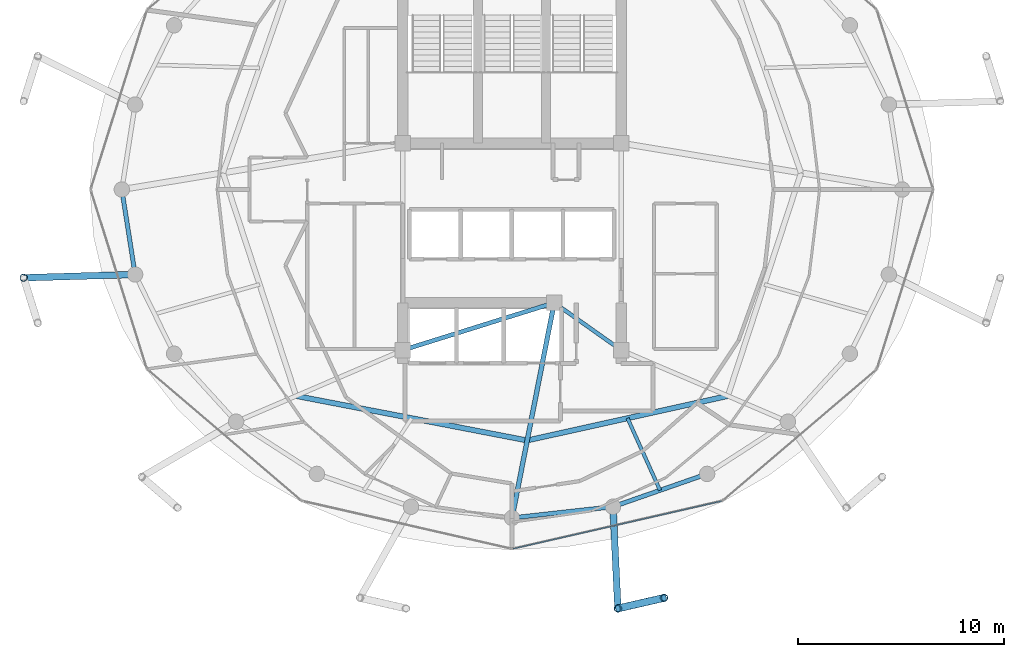
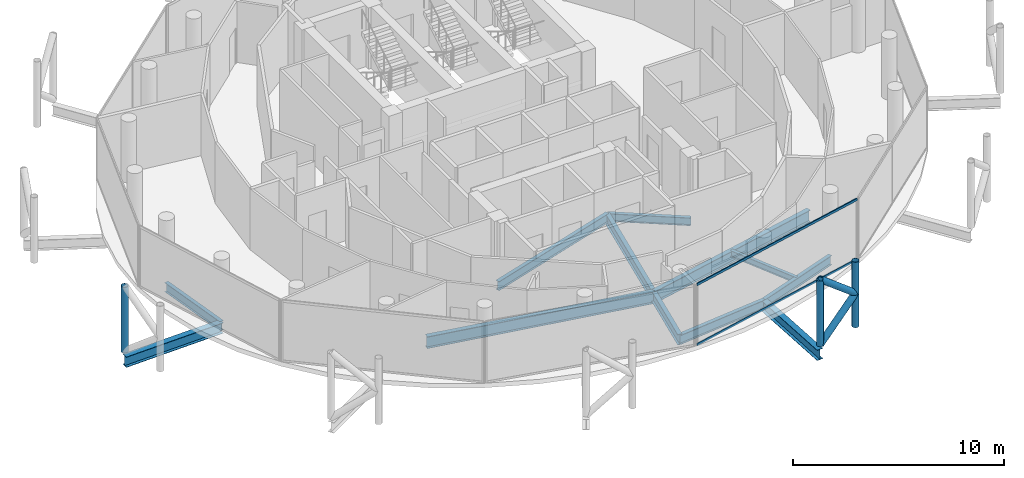
# One storey, part 5 of 24: 11 beams, 7 members, 1 element without a shape of its own.
"""IFC4 building model written with IfcOpenShell, lengths in metres."""

from ifc_helpers import new_model, si_unit, direction, frame, origin, origin_2d, place, context, subcontext, project, spatial, hollow_rectangle, hollow_circle, i_section, extrude, material, layer, layer_set, material_profile, profile_set, type_object, element, aggregate, save


model = new_model("IFC4")

# Units and contexts
model_context = context("Model", 3, precision=1e-05, world=origin(), true_north=direction((0.0, 1.0)))
body_context = subcontext(model_context, "Body", "Model", "MODEL_VIEW")
ifc_project = project(units=[si_unit("LENGTHUNIT", "METRE"), si_unit("AREAUNIT", "SQUARE_METRE"), si_unit("VOLUMEUNIT", "CUBIC_METRE"), si_unit("PLANEANGLEUNIT", "RADIAN"), si_unit("MASSUNIT", "GRAM", prefix="KILO")], contexts=[model_context])

# Site, building, storey
site_placement = place(None, origin())
site = spatial("IfcSite", under=ifc_project, at=site_placement, CompositionType="ELEMENT")
building_placement = place(site_placement, origin())
building = spatial("IfcBuilding", under=site, at=building_placement, Name="Nuhasar Tower", CompositionType="ELEMENT")
storey_placement = place(building_placement, frame((0.0, 0.0, 274.60009765625)))
storey = spatial("IfcBuildingStorey", under=building, at=storey_placement, Name="L68", CompositionType="ELEMENT", Elevation=274.60009765625)

# Beams
ifc_material_1 = material(Name="Steel S355", Category="steel")
ifc_material_profile_1 = material_profile(ifc_material_1, i_section(OverallWidth=0.25390625, OverallDepth=0.68408203125, WebThickness=0.012451171875, FlangeThickness=0.018798828125, at=origin_2d()), Name="W27X94")
ifc_profile_set_1 = profile_set([ifc_material_profile_1], Name="Steel S355")
beam_type_1 = type_object("IfcBeamType", Name="BM-INRING-W27X94", PredefinedType="BEAM", material=ifc_profile_set_1)
beam_1_placement = place(storey_placement, frame((28.51611328125, 16.77392578125, -0.60205078125), z_axis=(0.981944682954, -0.189168283859, 0.0), x_axis=(0.189168283859, 0.981944682954, 0.0)))
element("IfcBeam", 1, at=beam_1_placement, inside=storey, type_object=beam_type_1, Name="L68 Inner Header Beam 01", PredefinedType="BEAM", context=body_context, shape_type="SweptSolid", body=[
    extrude(i_section(OverallWidth=0.25390625, OverallDepth=0.68408203125, WebThickness=0.012451171875, FlangeThickness=0.018798828125, at=origin_2d()), origin(), (0.0, 0.0, 1.0), 11.42822265625),
])
beam_2_placement = place(storey_placement, frame((39.738037109375, 14.612060546875, -0.60205078125), z_axis=(0.97626927806, 0.216560145726, 0.0), x_axis=(-0.216560145726, 0.97626927806, 0.0)))
element("IfcBeam", 2, at=beam_2_placement, inside=storey, type_object=beam_type_1, Name="L68 Inner Header Beam 02", PredefinedType="BEAM", context=body_context, shape_type="SweptSolid", body=[
    extrude(i_section(OverallWidth=0.25390625, OverallDepth=0.68408203125, WebThickness=0.012451171875, FlangeThickness=0.018798828125, at=origin_2d()), origin(), (0.0, 0.0, 1.0), 9.982666015625),
])
ifc_material_profile_2 = material_profile(ifc_material_1, i_section(OverallWidth=0.1708984375, OverallDepth=0.35205078125, WebThickness=0.0068359375, FlangeThickness=0.009765625, at=origin_2d()), Name="W14X30")
ifc_profile_set_2 = profile_set([ifc_material_profile_2], Name="Steel S355")
beam_type_2 = type_object("IfcBeamType", Name="BM-JST-W14X30", PredefinedType="JOIST", material=ifc_profile_set_2)
beam_3_placement = place(storey_placement, frame((44.611083984375, 15.693115234375, -0.43603515625), z_axis=(0.41089033708, -0.911684776057, 0.0), x_axis=(0.911684776057, 0.41089033708, 0.0)))
element("IfcBeam", 3, at=beam_3_placement, inside=storey, type_object=beam_type_2, Name="L68 Secondary Floor Joist 02", PredefinedType="JOIST", context=body_context, shape_type="SweptSolid", body=[
    extrude(i_section(OverallWidth=0.1708984375, OverallDepth=0.35205078125, WebThickness=0.0068359375, FlangeThickness=0.009765625, at=origin_2d()), origin(), (0.0, 0.0, 1.0), 3.842529296875),
])
ifc_material_profile_3 = material_profile(ifc_material_1, i_section(OverallWidth=0.18994140625, OverallDepth=0.45703125, WebThickness=0.009033203125, FlangeThickness=0.014404296875, at=origin_2d()), Name="W18X50")
ifc_profile_set_3 = profile_set([ifc_material_profile_3], Name="Steel S355")
beam_type_3 = type_object("IfcBeamType", Name="BM-RAD-W18X50", PredefinedType="BEAM", material=ifc_profile_set_3)
beam_4_placement = place(storey_placement, frame((41.050048828125, 21.300048828125, -0.489013671875), z_axis=(0.816265428953, -0.577677028708, 0.0), x_axis=(0.577677028708, 0.816265428953, 0.0)))
element("IfcBeam", 4, at=beam_4_placement, inside=storey, type_object=beam_type_3, Name="L68 Core Ring Girder 2", PredefinedType="BEAM", context=body_context, shape_type="SweptSolid", body=[
    extrude(i_section(OverallWidth=0.18994140625, OverallDepth=0.45703125, WebThickness=0.009033203125, FlangeThickness=0.014404296875, at=origin_2d()), origin(), (0.0, 0.0, 1.0), 3.9814453125),
])
ifc_material_profile_4 = material_profile(ifc_material_1, i_section(OverallWidth=0.208984375, OverallDepth=0.528076171875, WebThickness=0.009521484375, FlangeThickness=0.01318359375, at=origin_2d()), Name="W21X55")
ifc_profile_set_4 = profile_set([ifc_material_profile_4], Name="Steel S355")
beam_type_4 = type_object("IfcBeamType", Name="BM-RAD-W21X55", PredefinedType="BEAM", material=ifc_profile_set_4)
beam_5_placement = place(storey_placement, frame((33.699951171875, 19.0, -0.524169921875), z_axis=(0.954363709454, 0.298646798205, 0.0), x_axis=(-0.298646798205, 0.954363709454, 0.0)))
element("IfcBeam", 5, at=beam_5_placement, inside=storey, type_object=beam_type_4, Name="L68 Core Ring Girder 1", PredefinedType="BEAM", context=body_context, shape_type="SweptSolid", body=[
    extrude(i_section(OverallWidth=0.208984375, OverallDepth=0.528076171875, WebThickness=0.009521484375, FlangeThickness=0.01318359375, at=origin_2d()), origin(), (0.0, 0.0, 1.0), 7.70166015625),
])
ifc_material_profile_5 = material_profile(ifc_material_1, i_section(OverallWidth=0.22900390625, OverallDepth=0.612060546875, WebThickness=0.011962890625, FlangeThickness=0.01953125, at=origin_2d()), Name="W24X84")
ifc_profile_set_5 = profile_set([ifc_material_profile_5], Name="Steel S355")
beam_type_5 = type_object("IfcBeamType", Name="BM-RAD-W24X84", PredefinedType="BEAM", material=ifc_profile_set_5)
beam_6_placement = place(storey_placement, frame((41.050048828125, 21.300048828125, -0.566162109375), z_axis=(-0.192508395576, -0.981295326409, 0.0), x_axis=(0.981295326409, -0.192508395576, 0.0)))
element("IfcBeam", 6, at=beam_6_placement, inside=storey, type_object=beam_type_5, Name="L68 Radial Floor Girder 02", PredefinedType="BEAM", context=body_context, shape_type="SweptSolid", body=[
    extrude(i_section(OverallWidth=0.22900390625, OverallDepth=0.612060546875, WebThickness=0.011962890625, FlangeThickness=0.01953125, at=origin_2d()), origin(), (0.0, 0.0, 1.0), 10.649169921875),
])
ifc_material_profile_6 = material_profile(ifc_material_1, i_section(OverallWidth=0.2099609375, OverallDepth=0.537109375, WebThickness=0.010986328125, FlangeThickness=0.017333984375, at=origin_2d()), Name="W21X68")
ifc_profile_set_6 = profile_set([ifc_material_profile_6], Name="Steel S355")
beam_type_6 = type_object("IfcBeamType", Name="BM-RING-W21X68", PredefinedType="SPANDREL", material=ifc_profile_set_6)
beam_7_placement = place(storey_placement, frame((20.050048828125, 26.800048828125, -0.529052734375), z_axis=(0.154612165232, -0.987975241776, 0.0), x_axis=(0.987975241776, 0.154612165232, 0.0)))
element("IfcBeam", 7, at=beam_7_placement, inside=storey, type_object=beam_type_6, Name="L68 Perimeter Ring Spandrel 13", PredefinedType="SPANDREL", context=body_context, shape_type="SweptSolid", body=[
    extrude(i_section(OverallWidth=0.2099609375, OverallDepth=0.537109375, WebThickness=0.010986328125, FlangeThickness=0.017333984375, at=origin_2d()), origin(), (0.0, 0.0, 1.0), 4.17822265625),
])
beam_8_placement = place(storey_placement, frame((39.0, 10.85009765625, -0.529052734375), z_axis=(0.99392889943, 0.110024283128, 0.0), x_axis=(-0.110024283128, 0.99392889943, 0.0)))
element("IfcBeam", 8, at=beam_8_placement, inside=storey, type_object=beam_type_6, Name="L68 Perimeter Ring Spandrel 19", PredefinedType="SPANDREL", context=body_context, shape_type="SweptSolid", body=[
    extrude(i_section(OverallWidth=0.2099609375, OverallDepth=0.537109375, WebThickness=0.010986328125, FlangeThickness=0.017333984375, at=origin_2d()), origin(), (0.0, 0.0, 1.0), 4.93505859375),
])
beam_9_placement = place(storey_placement, frame((43.905029296875, 11.39306640625, -0.529052734375), z_axis=(0.944214043504, 0.329332415729, 0.0), x_axis=(-0.329332415729, 0.944214043504, 0.0)))
element("IfcBeam", 9, at=beam_9_placement, inside=storey, type_object=beam_type_6, Name="L68 Perimeter Ring Spandrel 20", PredefinedType="SPANDREL", context=body_context, shape_type="SweptSolid", body=[
    extrude(i_section(OverallWidth=0.2099609375, OverallDepth=0.537109375, WebThickness=0.010986328125, FlangeThickness=0.017333984375, at=origin_2d()), origin(), (0.0, 0.0, 1.0), 4.840087890625),
])
ifc_material_profile_7 = material_profile(ifc_material_1, i_section(OverallWidth=0.323974609375, OverallDepth=0.611083984375, WebThickness=0.0126953125, FlangeThickness=0.01904296875, at=origin_2d()), Name="W24X104")
ifc_profile_set_7 = profile_set([ifc_material_profile_7], Name="Steel S355")
beam_type_7 = type_object("IfcBeamType", Name="BM-TIE-W24X104", PredefinedType="BEAM", material=ifc_profile_set_7)
beam_10_placement = place(storey_placement, frame((20.696044921875, 22.672119140625, -0.566162109375), z_axis=(-0.999573346236, -0.029208312065, 0.0), x_axis=(0.029208312065, -0.999573346236, 0.0)))
element("IfcBeam", 10, at=beam_10_placement, inside=storey, type_object=beam_type_7, Name="L68 Exoskeleton Node Tie Beam 07", PredefinedType="BEAM", context=body_context, shape_type="SweptSolid", body=[
    extrude(i_section(OverallWidth=0.323974609375, OverallDepth=0.611083984375, WebThickness=0.0126953125, FlangeThickness=0.01904296875, at=origin_2d()), origin(), (0.0, 0.0, 1.0), 5.416259765625),
])
beam_11_placement = place(storey_placement, frame((43.905029296875, 11.39306640625, -0.566162109375), z_axis=(0.048109027225, -0.998842090372, 0.0), x_axis=(0.998842090372, 0.048109027225, 0.0)))
element("IfcBeam", 11, at=beam_11_placement, inside=storey, type_object=beam_type_7, Name="L68 Exoskeleton Node Tie Beam 10", PredefinedType="BEAM", context=body_context, shape_type="SweptSolid", body=[
    extrude(i_section(OverallWidth=0.323974609375, OverallDepth=0.611083984375, WebThickness=0.0126953125, FlangeThickness=0.01904296875, at=origin_2d()), origin(), (0.0, 0.0, 1.0), 4.94775390625),
])

# Curtain wall, members
ifc_material_2 = material(Name="Aluminium 6063-T6", Category="aluminium")
ifc_layer = layer(ifc_material_2, 0.18994140625)
ifc_layer_set = layer_set([ifc_layer], Name="Aluminium 6063-T6")
curtain_wall_type = type_object("IfcCurtainWallType", Name="CW-Z4-PEN", PredefinedType="NOTDEFINED", material=ifc_layer_set)
curtain_wall_placement = place(storey_placement, origin())
curtain_wall = element("IfcCurtainWall", 12, at=curtain_wall_placement, inside=storey, type_object=curtain_wall_type, Name="L68 Unitised Curtain Wall 10", PredefinedType="NOTDEFINED")
ifc_material_profile_8 = material_profile(ifc_material_2, hollow_rectangle(XDim=0.06005859375, YDim=0.135009765625, WallThickness=0.00439453125, at=origin_2d()), Name="CWT-5")
ifc_profile_set_8 = profile_set([ifc_material_profile_8], Name="Aluminium 6063-T6")
member_type_1 = type_object("IfcMemberType", Name="CW-TRN-S5", PredefinedType="USERDEFINED", material=ifc_profile_set_8)
member_1_placement = place(storey_placement, frame((39.05859375, 9.353271484375, 0.02978515625), z_axis=(0.974843752401, 0.222889341163, 0.0), x_axis=(-0.222889341163, 0.974843752401, 0.0)))
member_1 = element("IfcMember", 13, at=member_1_placement, type_object=member_type_1, Name="CW-Z4 transom 1.1", ObjectType="TRANSOM", PredefinedType="USERDEFINED", context=body_context, shape_type="SweptSolid", body=[
    extrude(hollow_rectangle(XDim=0.06005859375, YDim=0.135009765625, WallThickness=0.00439453125, at=origin_2d()), origin(), (0.0, 0.0, 1.0), 10.3740234375),
])
member_2_placement = place(storey_placement, frame((39.05859375, 9.353271484375, 3.510009765625), z_axis=(0.974843752401, 0.222889341163, 0.0), x_axis=(-0.222889341163, 0.974843752401, 0.0)))
member_2 = element("IfcMember", 14, at=member_2_placement, type_object=member_type_1, Name="CW-Z4 transom 1.2", ObjectType="TRANSOM", PredefinedType="USERDEFINED", context=body_context, shape_type="SweptSolid", body=[
    extrude(hollow_rectangle(XDim=0.06005859375, YDim=0.135009765625, WallThickness=0.00439453125, at=origin_2d()), origin(), (0.0, 0.0, 1.0), 10.3740234375),
])
aggregate(curtain_wall, [member_1, member_2])

# Members
ifc_material_3 = material(Name="Steel S460", Category="steel")
ifc_material_profile_9 = material_profile(ifc_material_3, hollow_circle(Radius=0.177734375, WallThickness=0.015869140625, at=origin_2d()), Name="HSS355.6X15.9")
ifc_profile_set_9 = profile_set([ifc_material_profile_9], Name="Steel S460")
member_type_2 = type_object("IfcMemberType", Name="EXO-BRONZE-356", PredefinedType="BRACE", material=ifc_profile_set_9)
for number, where, z_axis, x_axis, name in (
    (15, (15.281982421875, 22.513916015625, 0.0), (0.0, 0.0, 1.0), (1.0, 0.0, 0.0), "L68 Exoskeleton Chord Column EC-07A"),
    (16, (44.14306640625, 6.450927734375, 0.0), (0.0, 0.0, 1.0), (1.0, 0.0, 0.0), "L68 Exoskeleton Chord Column EC-10A"),
    (17, (46.384033203125, 6.967041015625, 0.0), (0.0, 0.0, 1.0), (1.0, 0.0, 0.0), "L68 Exoskeleton Chord Column EC-10B"),
):
    element("IfcMember", number, at=place(storey_placement, frame(where, z_axis=z_axis, x_axis=x_axis)), inside=storey, type_object=member_type_2, Name=name, PredefinedType="BRACE", context=body_context, shape_type="SweptSolid", body=[
        extrude(hollow_circle(Radius=0.177734375, WallThickness=0.015869140625, at=origin_2d()), origin(), (0.0, 0.0, 1.0), 3.7998046875),
    ])
for number, where, z_axis, x_axis, name in (
    (18, (44.14306640625, 6.450927734375, 0.0), (0.751260978137, 0.173021648086, 0.636922642103), (-0.224433035437, 0.97448951385, 0.0), "L68 Bronze Diagrid Brace W1-10"),
    (19, (46.384033203125, 6.967041015625, 1.89990234375), (-0.751260978137, -0.173021648086, 0.636922642103), (0.224433035437, -0.97448951385, 0.0), "L68 Bronze Diagrid Brace W2-10"),
):
    element("IfcMember", number, at=place(storey_placement, frame(where, z_axis=z_axis, x_axis=x_axis)), inside=storey, type_object=member_type_2, Name=name, PredefinedType="BRACE", context=body_context, shape_type="SweptSolid", body=[
        extrude(hollow_circle(Radius=0.177734375, WallThickness=0.015869140625, at=origin_2d()), origin(), (0.0, 0.0, 1.0), 2.98291015625),
    ])

save(model, "model.ifc")
